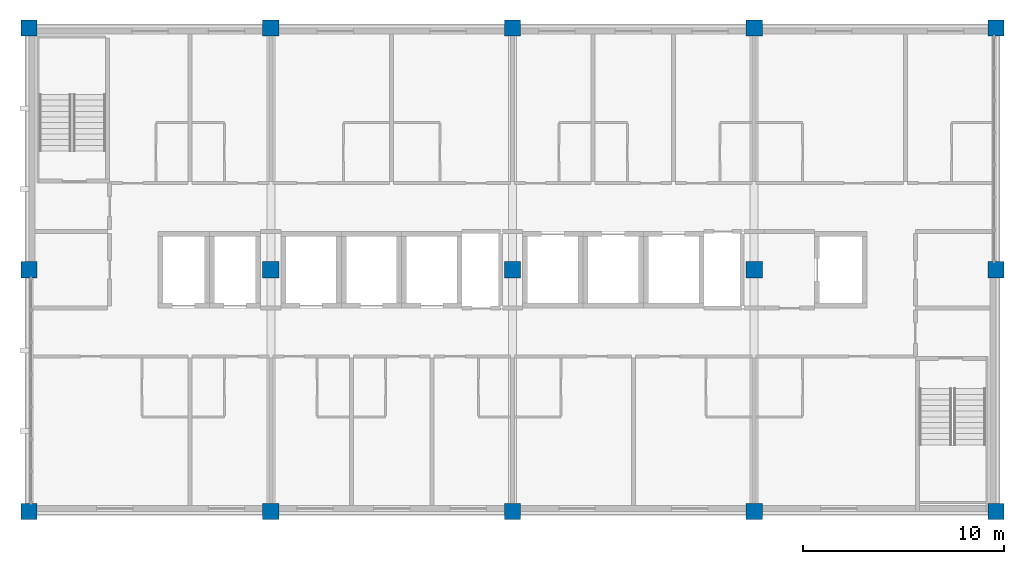
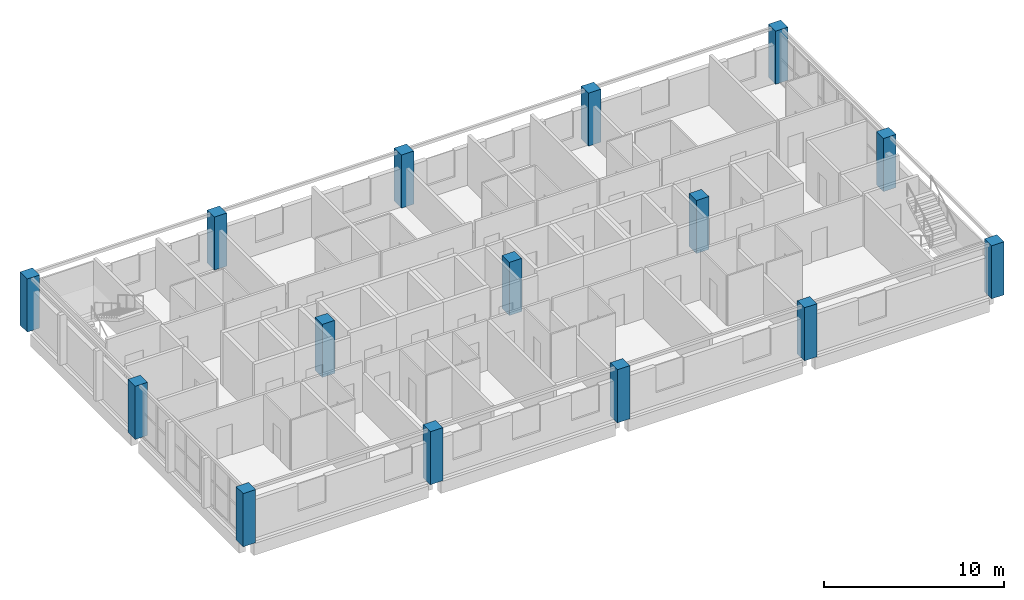
# One storey, part 1 of 11: 15 columns.
"""IFC4 building model written with IfcOpenShell, lengths in metres."""

from ifc_helpers import new_model, si_unit, direction, frame, origin, origin_2d, place, context, subcontext, project, spatial, rectangle, extrude, material, material_profile, profile_set, type_object, element, save


model = new_model("IFC4")

# Units and contexts
model_context = context("Model", 3, precision=1e-05, world=origin(), true_north=direction((0.0, 1.0)))
body_context = subcontext(model_context, "Body", "Model", "MODEL_VIEW")
ifc_project = project(units=[si_unit("LENGTHUNIT", "METRE"), si_unit("AREAUNIT", "SQUARE_METRE"), si_unit("VOLUMEUNIT", "CUBIC_METRE"), si_unit("PLANEANGLEUNIT", "RADIAN"), si_unit("MASSUNIT", "GRAM", prefix="KILO")], contexts=[model_context])

# Site, building, storey
site_placement = place(None, origin())
site = spatial("IfcSite", under=ifc_project, at=site_placement, CompositionType="ELEMENT")
building_placement = place(site_placement, origin())
building = spatial("IfcBuilding", under=site, at=building_placement, Name="Lilac Gate Convention Centre", CompositionType="ELEMENT")
storey_placement = place(building_placement, frame((0.0, 0.0, 46.199951171875)))
storey = spatial("IfcBuildingStorey", under=building, at=storey_placement, Name="L11", CompositionType="ELEMENT", Elevation=46.199951171875)

# Columns
ifc_material = material(Name="Concrete C40", Category="concrete")
ifc_material_profile = material_profile(ifc_material, rectangle(XDim=0.800048828125, YDim=0.800048828125, at=origin_2d()), Name="RC 800x800")
ifc_profile_set = profile_set([ifc_material_profile], Name="Concrete C40")
column_type = type_object("IfcColumnType", Name="RC tower column 800x800 C40", PredefinedType="COLUMN", material=ifc_profile_set)
for number, where, z_axis, x_axis, name in (
    (1, (42.0, 222.0, 0.0), (0.0, 0.0, 1.0), (1.0, 0.0, 0.0), "C6 L11 at 4/S"),
    (2, (42.0, 234.0, 0.0), (0.0, 0.0, 1.0), (1.0, 0.0, 0.0), "C6 L11 at 4/T"),
    (3, (42.0, 246.0, 0.0), (0.0, 0.0, 1.0), (1.0, 0.0, 0.0), "C6 L11 at 4/U"),
    (4, (54.0, 222.0, 0.0), (0.0, 0.0, 1.0), (1.0, 0.0, 0.0), "C6 L11 at 5/S"),
    (5, (54.0, 234.0, 0.0), (0.0, 0.0, 1.0), (1.0, 0.0, 0.0), "C6 L11 at 5/T"),
    (6, (54.0, 246.0, 0.0), (0.0, 0.0, 1.0), (1.0, 0.0, 0.0), "C6 L11 at 5/U"),
    (7, (66.0, 222.0, 0.0), (0.0, 0.0, 1.0), (1.0, 0.0, 0.0), "C6 L11 at 6/S"),
    (8, (66.0, 234.0, 0.0), (0.0, 0.0, 1.0), (1.0, 0.0, 0.0), "C6 L11 at 6/T"),
    (9, (66.0, 246.0, 0.0), (0.0, 0.0, 1.0), (1.0, 0.0, 0.0), "C6 L11 at 6/U"),
    (10, (78.0, 222.0, 0.0), (0.0, 0.0, 1.0), (1.0, 0.0, 0.0), "C6 L11 at 7/S"),
    (11, (78.0, 234.0, 0.0), (0.0, 0.0, 1.0), (1.0, 0.0, 0.0), "C6 L11 at 7/T"),
    (12, (78.0, 246.0, 0.0), (0.0, 0.0, 1.0), (1.0, 0.0, 0.0), "C6 L11 at 7/U"),
    (13, (90.0, 222.0, 0.0), (0.0, 0.0, 1.0), (1.0, 0.0, 0.0), "C6 L11 at 8/S"),
    (14, (90.0, 234.0, 0.0), (0.0, 0.0, 1.0), (1.0, 0.0, 0.0), "C6 L11 at 8/T"),
    (15, (90.0, 246.0, 0.0), (0.0, 0.0, 1.0), (1.0, 0.0, 0.0), "C6 L11 at 8/U"),
):
    element("IfcColumn", number, at=place(storey_placement, frame(where, z_axis=z_axis, x_axis=x_axis)), inside=storey, type_object=column_type, Name=name, PredefinedType="COLUMN", context=body_context, shape_type="SweptSolid", body=[
        extrude(rectangle(XDim=0.800048828125, YDim=0.800048828125, at=origin_2d()), origin(), (0.0, 0.0, 1.0), 3.60009765625),
    ])

save(model, "model.ifc")
